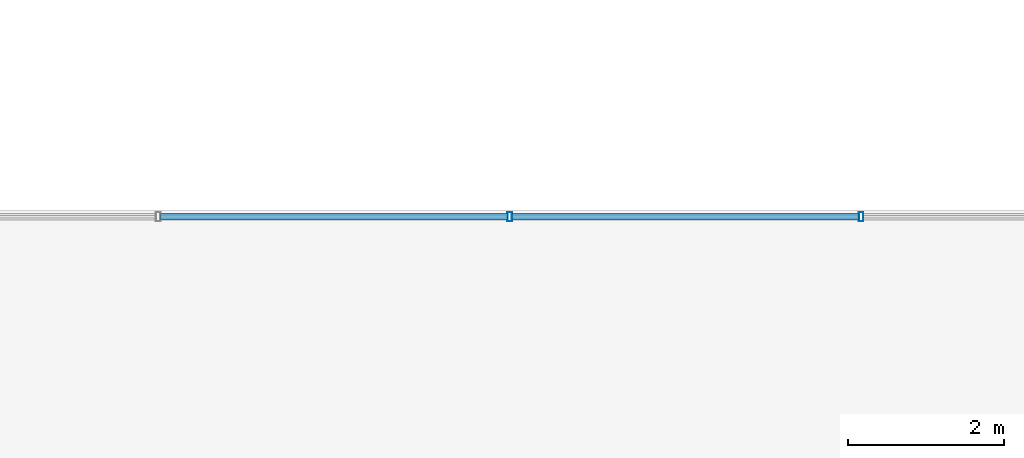
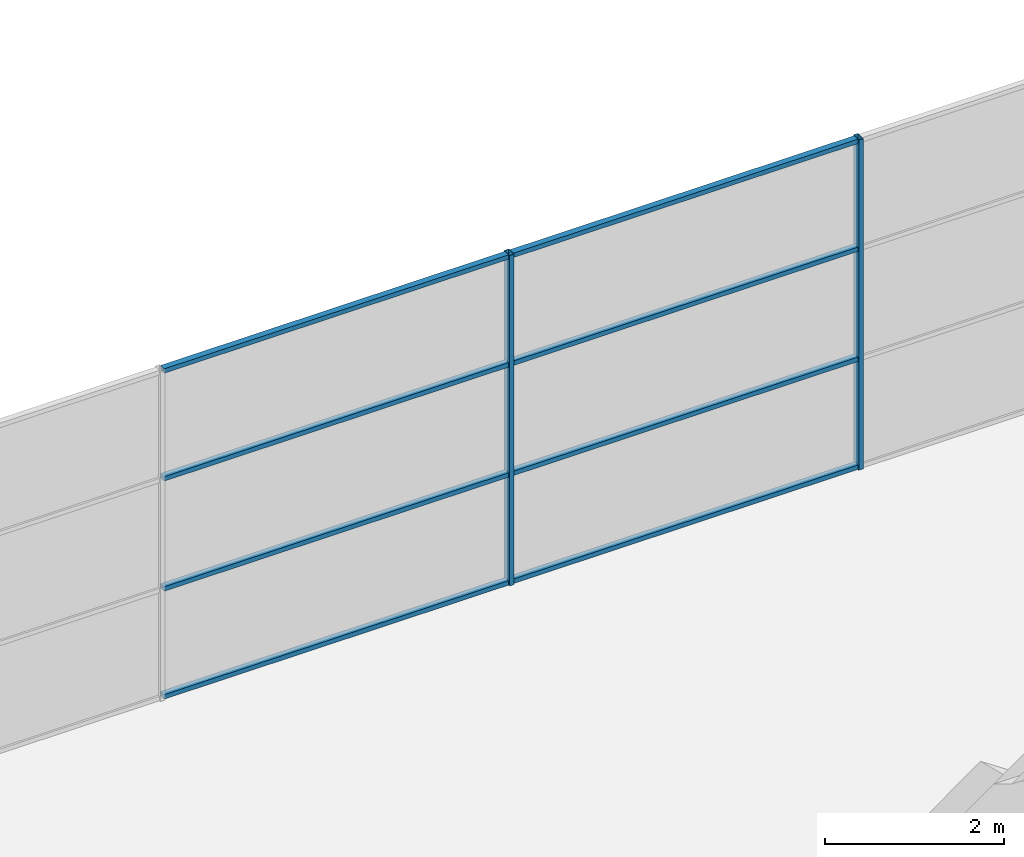
# One storey, part 22 of 149: 10 members, 1 element without a shape of its own.
"""IFC4 building model written with IfcOpenShell, lengths in metres."""

from ifc_helpers import new_model, si_unit, direction, frame, origin, origin_2d, place, context, subcontext, project, spatial, hollow_rectangle, extrude, material, material_profile, profile_set, type_object, element, aggregate, save


model = new_model("IFC4")

# Units and contexts
model_context = context("Model", 3, precision=1e-05, world=origin(), true_north=direction((0.0, 1.0)))
body_context = subcontext(model_context, "Body", "Model", "MODEL_VIEW")
ifc_project = project(units=[si_unit("LENGTHUNIT", "METRE"), si_unit("AREAUNIT", "SQUARE_METRE"), si_unit("VOLUMEUNIT", "CUBIC_METRE"), si_unit("PLANEANGLEUNIT", "RADIAN"), si_unit("MASSUNIT", "GRAM", prefix="KILO")], contexts=[model_context])

# Site, building, storey
site_placement = place(None, origin())
site = spatial("IfcSite", under=ifc_project, at=site_placement, CompositionType="ELEMENT")
building_placement = place(site_placement, origin())
building = spatial("IfcBuilding", under=site, at=building_placement, Name="Kallimachos Central Library", CompositionType="ELEMENT")
storey_placement = place(building_placement, frame((0.0, 0.0, 9.89990234375)))
storey = spatial("IfcBuildingStorey", under=building, at=storey_placement, Name="L02", CompositionType="ELEMENT", Elevation=9.89990234375)

# Curtain wall, members
ifc_material_1 = material(Name="Aluminium and laminated glass", Category="aluminium")
curtain_wall_type = type_object("IfcCurtainWallType", Name="Atrium glazed screen", PredefinedType="NOTDEFINED", material=ifc_material_1)
curtain_wall_placement = place(storey_placement, origin())
curtain_wall = element("IfcCurtainWall", 1, at=curtain_wall_placement, inside=storey, type_object=curtain_wall_type, Name="L02 atrium screen S", PredefinedType="NOTDEFINED")
ifc_material_2 = material(Name="Anodised aluminium", Category="aluminium")
ifc_material_profile_1 = material_profile(ifc_material_2, hollow_rectangle(XDim=0.06005859375, YDim=0.1201171875, WallThickness=0.00390625, at=origin_2d()), Name="ALU MULLION 60x120")
ifc_profile_set_1 = profile_set([ifc_material_profile_1], Name="Anodised aluminium")
member_type_1 = type_object("IfcMemberType", Name="Atrium screen mullion", PredefinedType="MULLION", material=ifc_profile_set_1)
member_1_placement = place(storey_placement, frame((88.0, 56.919921875, 0.0), z_axis=(0.0, 0.0, 1.0), x_axis=(1.0, 0.0, 0.0)))
member_1 = element("IfcMember", 2, at=member_1_placement, type_object=member_type_1, Name="CW mullion 4", PredefinedType="MULLION", context=body_context, shape_type="SweptSolid", body=[
    extrude(hollow_rectangle(XDim=0.06005859375, YDim=0.1201171875, WallThickness=0.00390625, at=origin_2d()), origin(), (0.0, 0.0, 1.0), 4.5),
])
member_2_placement = place(storey_placement, frame((92.5, 56.919921875, 0.0), z_axis=(0.0, 0.0, 1.0), x_axis=(1.0, 0.0, 0.0)))
member_2 = element("IfcMember", 3, at=member_2_placement, type_object=member_type_1, Name="CW mullion 5", PredefinedType="MULLION", context=body_context, shape_type="SweptSolid", body=[
    extrude(hollow_rectangle(XDim=0.06005859375, YDim=0.1201171875, WallThickness=0.00390625, at=origin_2d()), origin(), (0.0, 0.0, 1.0), 4.5),
])
ifc_material_3 = material(Name="Anodised aluminium", Category="aluminium")
ifc_material_profile_2 = material_profile(ifc_material_3, hollow_rectangle(XDim=0.06005859375, YDim=0.080078125, WallThickness=0.00390625, at=origin_2d()), Name="ALU TRANSOM 60x80")
ifc_profile_set_2 = profile_set([ifc_material_profile_2], Name="Anodised aluminium")
member_type_2 = type_object("IfcMemberType", Name="Atrium screen transom", PredefinedType="USERDEFINED", material=ifc_profile_set_2)
member_3_placement = place(storey_placement, frame((83.530029296875, 56.919921875, 0.030029296875), z_axis=(1.0, 0.0, 0.0), x_axis=(0.0, 0.0, 1.0)))
member_3 = element("IfcMember", 4, at=member_3_placement, type_object=member_type_2, Name="CW transom 3.1", ObjectType="TRANSOM", PredefinedType="USERDEFINED", context=body_context, shape_type="SweptSolid", body=[
    extrude(hollow_rectangle(XDim=0.06005859375, YDim=0.080078125, WallThickness=0.00390625, at=origin_2d()), origin(), (0.0, 0.0, 1.0), 4.43994140625),
])
member_4_placement = place(storey_placement, frame((83.530029296875, 56.919921875, 1.5), z_axis=(1.0, 0.0, 0.0), x_axis=(0.0, 0.0, 1.0)))
member_4 = element("IfcMember", 5, at=member_4_placement, type_object=member_type_2, Name="CW transom 3.2", ObjectType="TRANSOM", PredefinedType="USERDEFINED", context=body_context, shape_type="SweptSolid", body=[
    extrude(hollow_rectangle(XDim=0.06005859375, YDim=0.080078125, WallThickness=0.00390625, at=origin_2d()), origin(), (0.0, 0.0, 1.0), 4.43994140625),
])
member_5_placement = place(storey_placement, frame((83.530029296875, 56.919921875, 3.0), z_axis=(1.0, 0.0, 0.0), x_axis=(0.0, 0.0, 1.0)))
member_5 = element("IfcMember", 6, at=member_5_placement, type_object=member_type_2, Name="CW transom 3.3", ObjectType="TRANSOM", PredefinedType="USERDEFINED", context=body_context, shape_type="SweptSolid", body=[
    extrude(hollow_rectangle(XDim=0.06005859375, YDim=0.080078125, WallThickness=0.00390625, at=origin_2d()), origin(), (0.0, 0.0, 1.0), 4.43994140625),
])
member_6_placement = place(storey_placement, frame((83.530029296875, 56.919921875, 4.47021484375), z_axis=(1.0, 0.0, 0.0), x_axis=(0.0, 0.0, 1.0)))
member_6 = element("IfcMember", 7, at=member_6_placement, type_object=member_type_2, Name="CW transom 3.4", ObjectType="TRANSOM", PredefinedType="USERDEFINED", context=body_context, shape_type="SweptSolid", body=[
    extrude(hollow_rectangle(XDim=0.06005859375, YDim=0.080078125, WallThickness=0.00390625, at=origin_2d()), origin(), (0.0, 0.0, 1.0), 4.43994140625),
])
member_7_placement = place(storey_placement, frame((88.030029296875, 56.919921875, 0.030029296875), z_axis=(1.0, 0.0, 0.0), x_axis=(0.0, 0.0, 1.0)))
member_7 = element("IfcMember", 8, at=member_7_placement, type_object=member_type_2, Name="CW transom 4.1", ObjectType="TRANSOM", PredefinedType="USERDEFINED", context=body_context, shape_type="SweptSolid", body=[
    extrude(hollow_rectangle(XDim=0.06005859375, YDim=0.080078125, WallThickness=0.00390625, at=origin_2d()), origin(), (0.0, 0.0, 1.0), 4.43994140625),
])
member_8_placement = place(storey_placement, frame((88.030029296875, 56.919921875, 1.5), z_axis=(1.0, 0.0, 0.0), x_axis=(0.0, 0.0, 1.0)))
member_8 = element("IfcMember", 9, at=member_8_placement, type_object=member_type_2, Name="CW transom 4.2", ObjectType="TRANSOM", PredefinedType="USERDEFINED", context=body_context, shape_type="SweptSolid", body=[
    extrude(hollow_rectangle(XDim=0.06005859375, YDim=0.080078125, WallThickness=0.00390625, at=origin_2d()), origin(), (0.0, 0.0, 1.0), 4.43994140625),
])
member_9_placement = place(storey_placement, frame((88.030029296875, 56.919921875, 3.0), z_axis=(1.0, 0.0, 0.0), x_axis=(0.0, 0.0, 1.0)))
member_9 = element("IfcMember", 10, at=member_9_placement, type_object=member_type_2, Name="CW transom 4.3", ObjectType="TRANSOM", PredefinedType="USERDEFINED", context=body_context, shape_type="SweptSolid", body=[
    extrude(hollow_rectangle(XDim=0.06005859375, YDim=0.080078125, WallThickness=0.00390625, at=origin_2d()), origin(), (0.0, 0.0, 1.0), 4.43994140625),
])
member_10_placement = place(storey_placement, frame((88.030029296875, 56.919921875, 4.47021484375), z_axis=(1.0, 0.0, 0.0), x_axis=(0.0, 0.0, 1.0)))
member_10 = element("IfcMember", 11, at=member_10_placement, type_object=member_type_2, Name="CW transom 4.4", ObjectType="TRANSOM", PredefinedType="USERDEFINED", context=body_context, shape_type="SweptSolid", body=[
    extrude(hollow_rectangle(XDim=0.06005859375, YDim=0.080078125, WallThickness=0.00390625, at=origin_2d()), origin(), (0.0, 0.0, 1.0), 4.43994140625),
])
aggregate(curtain_wall, [member_1, member_2, member_3, member_4, member_5, member_6, member_7, member_8, member_9, member_10])

save(model, "model.ifc")
